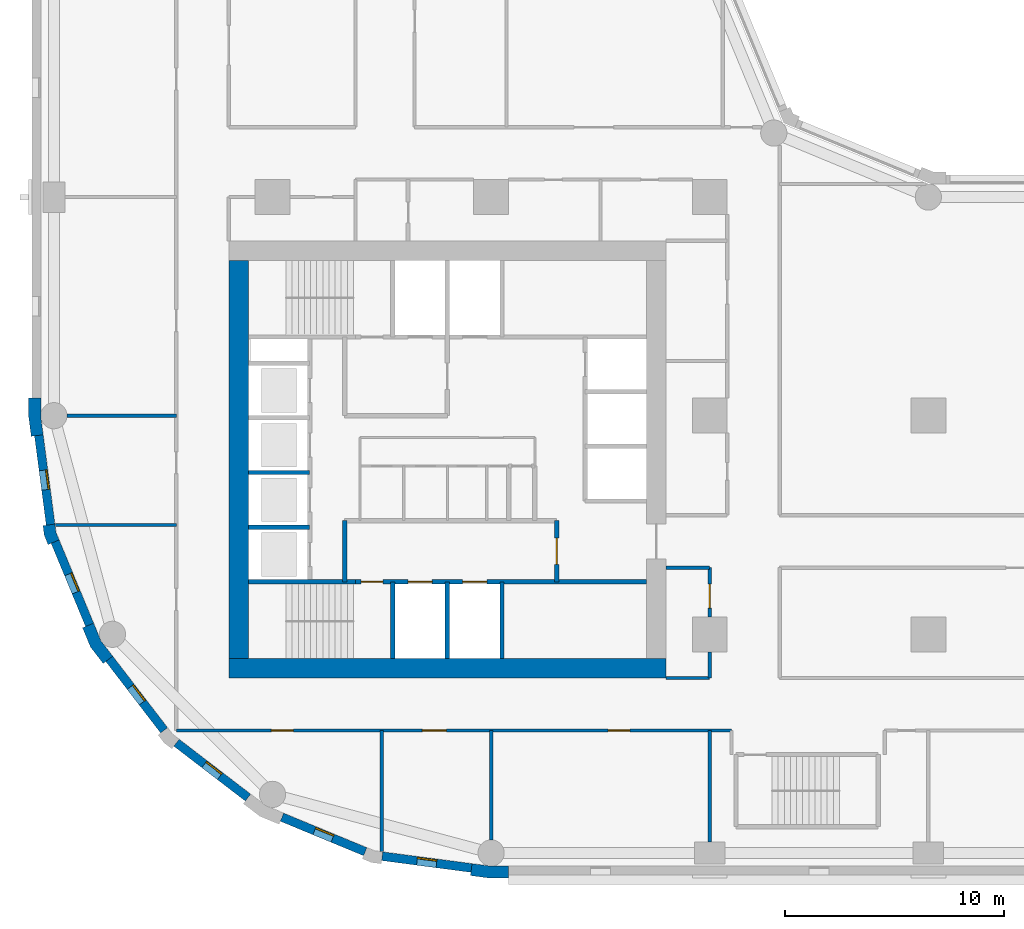
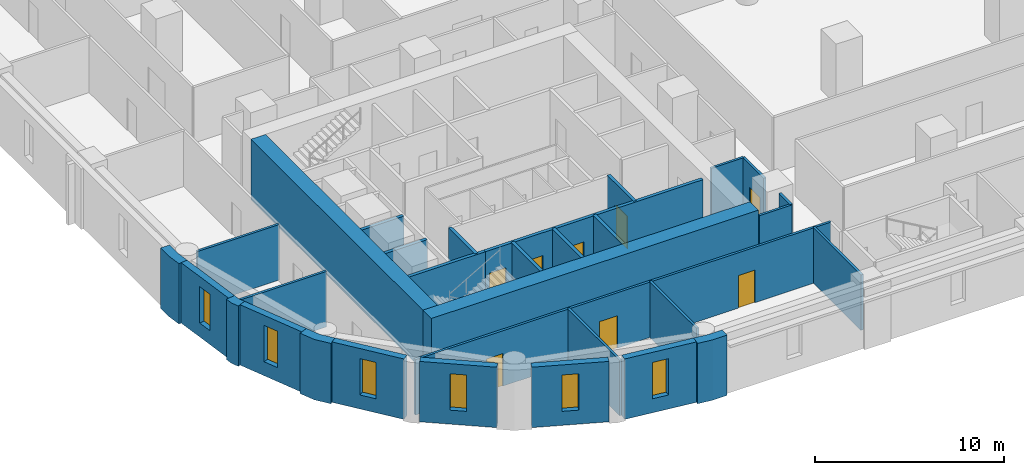
# One storey, part 2 of 10: 31 walls, 8 doors, 6 windows, 14 openings.
"""IFC4 building model written with IfcOpenShell, lengths in metres."""

from ifc_helpers import new_model, si_unit, direction, frame, frame_2d, origin, place, context, subcontext, project, spatial, polyline, rectangle, outline, extrude, material, layer, layer_set, type_object, element, fill, save


model = new_model("IFC4")

# Units and contexts
model_context = context("Model", 3, precision=1e-05, world=origin(), true_north=direction((0.0, 1.0)))
body_context = subcontext(model_context, "Body", "Model", "MODEL_VIEW")
ifc_project = project(units=[si_unit("LENGTHUNIT", "METRE"), si_unit("AREAUNIT", "SQUARE_METRE"), si_unit("VOLUMEUNIT", "CUBIC_METRE"), si_unit("PLANEANGLEUNIT", "RADIAN"), si_unit("MASSUNIT", "GRAM", prefix="KILO")], contexts=[model_context])

# Site, building, storey
site_placement = place(None, origin())
site = spatial("IfcSite", under=ifc_project, at=site_placement, CompositionType="ELEMENT")
building_placement = place(site_placement, origin())
building = spatial("IfcBuilding", under=site, at=building_placement, Name="Qaws Garden Tower", CompositionType="ELEMENT")
storey_placement = place(building_placement, frame((0.0, 0.0, 101.699951171875)))
storey = spatial("IfcBuildingStorey", under=building, at=storey_placement, Name="L25", CompositionType="ELEMENT", Elevation=101.699951171875)

# Wall, opening, window
ifc_material_1 = material(Name="Clay facing brick masonry", Category="masonry")
ifc_layer_1 = layer(ifc_material_1, 0.39990234375)
ifc_layer_set_1 = layer_set([ifc_layer_1], Name="Clay facing brick masonry")
wall_type_1 = type_object("IfcWallType", Name="Brick infill wall 400", PredefinedType="SOLIDWALL", material=ifc_layer_set_1)
wall_1_placement = place(storey_placement, frame((-0.688720703125, 19.102294921875, 0.0), z_axis=(0.0, 0.0, 1.0), x_axis=(0.130514280502, -0.991446429508, 0.0)))
wall_1 = element("IfcWall", 1, at=wall_1_placement, inside=storey, type_object=wall_type_1, Name="E-L25-infill-27", PredefinedType="SOLIDWALL", context=body_context, shape_type="SweptSolid", body=[
    extrude(rectangle(XDim=4.120849609375, YDim=0.39990234375, at=frame_2d((2.060546875, 0.0))), origin(), (0.0, 0.0, 1.0), 3.900146484375),
])
opening_1_placement = place(wall_1_placement, frame((1.610595703125, 0.0, 0.89990234375)))
opening_1 = element("IfcOpeningElement", 2, at=opening_1_placement, cuts=wall_1, Name="Opening W09", PredefinedType="OPENING", context=body_context, shape_type="SweptSolid", body=[
    extrude(rectangle(XDim=0.89990234375, YDim=2.35009765625, at=frame_2d((0.449951171875, 1.175048828125))), frame((0.0, 0.2099609375, 0.0), z_axis=(0.0, -1.0, 0.0), x_axis=(1.0, 0.0, 0.0)), (0.0, 0.0, 1.0), 0.419921875),
])
ifc_material_2 = material(Name="Aluminium framed window, clear glazing", Category="aluminium")
window_type = type_object("IfcWindowType", Name="Slit window 900 x 2350", PartitioningType="SINGLE_PANEL", PredefinedType="WINDOW", material=ifc_material_2)
window_1_placement = place(opening_1_placement, origin())
window_1 = element("IfcWindow", 3, at=window_1_placement, inside=storey, type_object=window_type, Name="E-L25-window-27-0", OverallHeight=2.35009765625, OverallWidth=0.89990234375, PartitioningType="SINGLE_PANEL", PredefinedType="WINDOW", context=body_context, shape_type="SweptSolid", body=[
    extrude(rectangle(XDim=0.89990234375, YDim=2.35009765625, at=frame_2d((0.449951171875, 1.175048828125))), frame((0.0, 0.159912109375, 0.0), z_axis=(0.0, -1.0, 0.0), x_axis=(1.0, 0.0, 0.0)), (0.0, 0.0, 1.0), 0.06005859375),
])
fill(opening_1, window_1)

wall_2_placement = place(storey_placement, frame((0.05712890625, 14.240234375, 0.0), z_axis=(0.0, 0.0, 1.0), x_axis=(0.382721546029, -0.923863744394, 0.0)))
wall_2 = element("IfcWall", 4, at=wall_2_placement, inside=storey, type_object=wall_type_1, Name="E-L25-infill-28", PredefinedType="SOLIDWALL", context=body_context, shape_type="SweptSolid", body=[
    extrude(rectangle(XDim=4.120849609375, YDim=0.39990234375, at=frame_2d((2.060546875, 0.0))), origin(), (0.0, 0.0, 1.0), 3.900146484375),
])
opening_2_placement = place(wall_2_placement, frame((1.610595703125, 0.0, 0.89990234375)))
opening_2 = element("IfcOpeningElement", 5, at=opening_2_placement, cuts=wall_2, Name="Opening W09", PredefinedType="OPENING", context=body_context, shape_type="SweptSolid", body=[
    extrude(rectangle(XDim=0.89990234375, YDim=2.35009765625, at=frame_2d((0.449951171875, 1.175048828125))), frame((0.0, 0.2099609375, 0.0), z_axis=(0.0, -1.0, 0.0), x_axis=(1.0, 0.0, 0.0)), (0.0, 0.0, 1.0), 0.419921875),
])
window_2_placement = place(opening_2_placement, origin())
window_2 = element("IfcWindow", 6, at=window_2_placement, inside=storey, type_object=window_type, Name="E-L25-window-28-0", OverallHeight=2.35009765625, OverallWidth=0.89990234375, PartitioningType="SINGLE_PANEL", PredefinedType="WINDOW", context=body_context, shape_type="SweptSolid", body=[
    extrude(rectangle(XDim=0.89990234375, YDim=2.35009765625, at=frame_2d((0.449951171875, 1.175048828125))), frame((0.0, 0.159912109375, 0.0), z_axis=(0.0, -1.0, 0.0), x_axis=(1.0, 0.0, 0.0)), (0.0, 0.0, 1.0), 0.06005859375),
])
fill(opening_2, window_2)

wall_3_placement = place(storey_placement, frame((2.53173828125, 8.87841796875, 0.0), z_axis=(0.0, 0.0, 1.0), x_axis=(0.608759824817, -0.793354571229, 0.0)))
wall_3 = element("IfcWall", 7, at=wall_3_placement, inside=storey, type_object=wall_type_1, Name="E-L25-infill-29", PredefinedType="SOLIDWALL", context=body_context, shape_type="SweptSolid", body=[
    extrude(rectangle(XDim=4.12109375, YDim=0.39990234375, at=frame_2d((2.060546875, 0.0))), origin(), (0.0, 0.0, 1.0), 3.900146484375),
])
opening_3_placement = place(wall_3_placement, frame((1.610595703125, 0.0, 0.89990234375)))
opening_3 = element("IfcOpeningElement", 8, at=opening_3_placement, cuts=wall_3, Name="Opening W09", PredefinedType="OPENING", context=body_context, shape_type="SweptSolid", body=[
    extrude(rectangle(XDim=0.89990234375, YDim=2.35009765625, at=frame_2d((0.449951171875, 1.175048828125))), frame((0.0, 0.2099609375, 0.0), z_axis=(0.0, -1.0, 0.0), x_axis=(1.0, 0.0, 0.0)), (0.0, 0.0, 1.0), 0.419921875),
])
window_3_placement = place(opening_3_placement, origin())
window_3 = element("IfcWindow", 9, at=window_3_placement, inside=storey, type_object=window_type, Name="E-L25-window-29-0", OverallHeight=2.35009765625, OverallWidth=0.89990234375, PartitioningType="SINGLE_PANEL", PredefinedType="WINDOW", context=body_context, shape_type="SweptSolid", body=[
    extrude(rectangle(XDim=0.89990234375, YDim=2.35009765625, at=frame_2d((0.449951171875, 1.175048828125))), frame((0.0, 0.159912109375, 0.0), z_axis=(0.0, -1.0, 0.0), x_axis=(1.0, 0.0, 0.0)), (0.0, 0.0, 1.0), 0.06005859375),
])
fill(opening_3, window_3)

wall_4_placement = place(storey_placement, frame((5.60888671875, 5.04052734375, 0.0), z_axis=(0.0, 0.0, 1.0), x_axis=(0.793354571229, -0.608759824817, 0.0)))
wall_4 = element("IfcWall", 10, at=wall_4_placement, inside=storey, type_object=wall_type_1, Name="E-L25-infill-30", PredefinedType="SOLIDWALL", context=body_context, shape_type="SweptSolid", body=[
    extrude(rectangle(XDim=4.12109375, YDim=0.39990234375, at=frame_2d((2.060546875, 0.0))), origin(), (0.0, 0.0, 1.0), 3.900146484375),
])
opening_4_placement = place(wall_4_placement, frame((1.610595703125, 0.0, 0.89990234375)))
opening_4 = element("IfcOpeningElement", 11, at=opening_4_placement, cuts=wall_4, Name="Opening W09", PredefinedType="OPENING", context=body_context, shape_type="SweptSolid", body=[
    extrude(rectangle(XDim=0.89990234375, YDim=2.35009765625, at=frame_2d((0.449951171875, 1.175048828125))), frame((0.0, 0.2099609375, 0.0), z_axis=(0.0, -1.0, 0.0), x_axis=(1.0, 0.0, 0.0)), (0.0, 0.0, 1.0), 0.419921875),
])
window_4_placement = place(opening_4_placement, origin())
window_4 = element("IfcWindow", 12, at=window_4_placement, inside=storey, type_object=window_type, Name="E-L25-window-30-0", OverallHeight=2.35009765625, OverallWidth=0.89990234375, PartitioningType="SINGLE_PANEL", PredefinedType="WINDOW", context=body_context, shape_type="SweptSolid", body=[
    extrude(rectangle(XDim=0.89990234375, YDim=2.35009765625, at=frame_2d((0.449951171875, 1.175048828125))), frame((0.0, 0.159912109375, 0.0), z_axis=(0.0, -1.0, 0.0), x_axis=(1.0, 0.0, 0.0)), (0.0, 0.0, 1.0), 0.06005859375),
])
fill(opening_4, window_4)

wall_5_placement = place(storey_placement, frame((10.43310546875, 1.63427734375, 0.0), z_axis=(0.0, 0.0, 1.0), x_axis=(0.923863744394, -0.382721546029, 0.0)))
wall_5 = element("IfcWall", 13, at=wall_5_placement, inside=storey, type_object=wall_type_1, Name="E-L25-infill-31", PredefinedType="SOLIDWALL", context=body_context, shape_type="SweptSolid", body=[
    extrude(rectangle(XDim=4.120849609375, YDim=0.39990234375, at=frame_2d((2.060546875, 0.0))), origin(), (0.0, 0.0, 1.0), 3.900146484375),
])
opening_5_placement = place(wall_5_placement, frame((1.610595703125, 0.0, 0.89990234375)))
opening_5 = element("IfcOpeningElement", 14, at=opening_5_placement, cuts=wall_5, Name="Opening W09", PredefinedType="OPENING", context=body_context, shape_type="SweptSolid", body=[
    extrude(rectangle(XDim=0.89990234375, YDim=2.35009765625, at=frame_2d((0.449951171875, 1.175048828125))), frame((0.0, 0.2099609375, 0.0), z_axis=(0.0, -1.0, 0.0), x_axis=(1.0, 0.0, 0.0)), (0.0, 0.0, 1.0), 0.419921875),
])
window_5_placement = place(opening_5_placement, origin())
window_5 = element("IfcWindow", 15, at=window_5_placement, inside=storey, type_object=window_type, Name="E-L25-window-31-0", OverallHeight=2.35009765625, OverallWidth=0.89990234375, PartitioningType="SINGLE_PANEL", PredefinedType="WINDOW", context=body_context, shape_type="SweptSolid", body=[
    extrude(rectangle(XDim=0.89990234375, YDim=2.35009765625, at=frame_2d((0.449951171875, 1.175048828125))), frame((0.0, 0.159912109375, 0.0), z_axis=(0.0, -1.0, 0.0), x_axis=(1.0, 0.0, 0.0)), (0.0, 0.0, 1.0), 0.06005859375),
])
fill(opening_5, window_5)

wall_6_placement = place(storey_placement, frame((15.0166015625, -0.15087890625, 0.0), z_axis=(0.0, 0.0, 1.0), x_axis=(0.991446429508, -0.130514280502, 0.0)))
wall_6 = element("IfcWall", 16, at=wall_6_placement, inside=storey, type_object=wall_type_1, Name="E-L25-infill-32", PredefinedType="SOLIDWALL", context=body_context, shape_type="SweptSolid", body=[
    extrude(rectangle(XDim=4.120849609375, YDim=0.39990234375, at=frame_2d((2.060546875, 0.0))), origin(), (0.0, 0.0, 1.0), 3.900146484375),
])
opening_6_placement = place(wall_6_placement, frame((1.610595703125, 0.0, 0.89990234375)))
opening_6 = element("IfcOpeningElement", 17, at=opening_6_placement, cuts=wall_6, Name="Opening W09", PredefinedType="OPENING", context=body_context, shape_type="SweptSolid", body=[
    extrude(rectangle(XDim=0.89990234375, YDim=2.35009765625, at=frame_2d((0.449951171875, 1.175048828125))), frame((0.0, 0.2099609375, 0.0), z_axis=(0.0, -1.0, 0.0), x_axis=(1.0, 0.0, 0.0)), (0.0, 0.0, 1.0), 0.419921875),
])
window_6_placement = place(opening_6_placement, origin())
window_6 = element("IfcWindow", 18, at=window_6_placement, inside=storey, type_object=window_type, Name="E-L25-window-32-0", OverallHeight=2.35009765625, OverallWidth=0.89990234375, PartitioningType="SINGLE_PANEL", PredefinedType="WINDOW", context=body_context, shape_type="SweptSolid", body=[
    extrude(rectangle(XDim=0.89990234375, YDim=2.35009765625, at=frame_2d((0.449951171875, 1.175048828125))), frame((0.0, 0.159912109375, 0.0), z_axis=(0.0, -1.0, 0.0), x_axis=(1.0, 0.0, 0.0)), (0.0, 0.0, 1.0), 0.06005859375),
])
fill(opening_6, window_6)

# Walls
ifc_material_3 = material(Name="Clay facing brick masonry", Category="masonry")
ifc_layer_2 = layer(ifc_material_3, 0.550048828125)
ifc_layer_set_2 = layer_set([ifc_layer_2], Name="Clay facing brick masonry")
wall_type_2 = type_object("IfcWallType", Name="Brick kink pier 550 x 600", PredefinedType="SOLIDWALL", material=ifc_layer_set_2)
placement = place(storey_placement, origin())
element("IfcWall", 19, at=placement, inside=storey, type_object=wall_type_2, Name="E-L25-pier-28", PredefinedType="SOLIDWALL", context=body_context, shape_type="SweptSolid", body=[
    extrude(outline(polyline([(-0.34912109375, 14.990478515625), (-0.497802734375, 14.970947265625), (-0.43896484375, 14.5234375), (-0.26611328125, 14.1064453125), (-0.127685546875, 14.163818359375), (0.241943359375, 14.31689453125), (0.096923828125, 14.6669921875), (0.04736328125, 15.042724609375), (-0.34912109375, 14.990478515625)])), origin(), (0.0, 0.0, 1.0), 3.900146484375),
])
ifc_material_4 = material(Name="Clay facing brick masonry", Category="masonry")
ifc_layer_3 = layer(ifc_material_4, 0.550048828125)
ifc_layer_set_3 = layer_set([ifc_layer_3], Name="Clay facing brick masonry")
wall_type_3 = type_object("IfcWallType", Name="Brick pier 550 x 1600", PredefinedType="SOLIDWALL", material=ifc_layer_set_3)
element("IfcWall", 20, at=placement, inside=storey, type_object=wall_type_3, Name="E-L25-pier-00", PredefinedType="SOLIDWALL", context=body_context, shape_type="SweptSolid", body=[
    extrude(outline(polyline([(19.076416015625, -0.886962890625), (19.056640625, -1.03564453125), (19.924560546875, -1.14990234375), (20.800048828125, -1.14990234375), (20.800048828125, -1.0), (20.800048828125, -0.60009765625), (19.960693359375, -0.60009765625), (19.12841796875, -0.490478515625), (19.076416015625, -0.886962890625)])), origin(), (0.0, 0.0, 1.0), 3.900146484375),
])
element("IfcWall", 21, at=placement, inside=storey, type_object=wall_type_3, Name="E-L25-pier-27", PredefinedType="SOLIDWALL", context=body_context, shape_type="SweptSolid", body=[
    extrude(outline(polyline([(-1.0, 20.800048828125), (-1.14990234375, 20.800048828125), (-1.14990234375, 19.924560546875), (-1.03564453125, 19.056640625), (-0.886962890625, 19.076416015625), (-0.490478515625, 19.12841796875), (-0.60009765625, 19.960693359375), (-0.60009765625, 20.800048828125), (-1.0, 20.800048828125)])), origin(), (0.0, 0.0, 1.0), 3.900146484375),
])
element("IfcWall", 22, at=placement, inside=storey, type_object=wall_type_3, Name="E-L25-pier-29", PredefinedType="SOLIDWALL", context=body_context, shape_type="SweptSolid", body=[
    extrude(outline(polyline([(1.449462890625, 10.3564453125), (1.310791015625, 10.299072265625), (1.675048828125, 9.419921875), (2.254150390625, 8.665283203125), (2.373046875, 8.756591796875), (2.6904296875, 9.0), (2.1552734375, 9.697509765625), (1.819091796875, 10.509521484375), (1.449462890625, 10.3564453125)])), origin(), (0.0, 0.0, 1.0), 3.900146484375),
])
ifc_material_5 = material(Name="Concrete C80", Category="concrete")
ifc_layer_4 = layer(ifc_material_5, 0.199951171875)
ifc_layer_set_4 = layer_set([ifc_layer_4], Name="Concrete C80")
wall_type_4 = type_object("IfcWallType", Name="Core shaft wall 200 C80", PredefinedType="SHEAR", material=ifc_layer_set_4)
wall_11_placement = place(storey_placement, frame((8.89990234375, 12.39990234375, 0.0), z_axis=(0.0, 0.0, 1.0), x_axis=(1.0, 0.0, 0.0)))
element("IfcWall", 23, at=wall_11_placement, inside=storey, type_object=wall_type_4, Name="Shaft wall", PredefinedType="SHEAR", context=body_context, shape_type="SweptSolid", body=[
    extrude(rectangle(XDim=4.900146484375, YDim=0.199951171875, at=frame_2d((2.4501953125, 0.0))), origin(), (0.0, 0.0, 1.0), 3.580078125),
])

# Wall, openings, doors
wall_12_placement = place(storey_placement, frame((13.800048828125, 12.39990234375, 0.0), z_axis=(0.0, 0.0, 1.0), x_axis=(1.0, 0.0, 0.0)))
wall_12 = element("IfcWall", 24, at=wall_12_placement, inside=storey, type_object=wall_type_4, Name="Shaft wall", PredefinedType="SHEAR", context=body_context, shape_type="SweptSolid", body=[
    extrude(rectangle(XDim=13.300048828125, YDim=0.199951171875, at=frame_2d((6.64990234375, 0.0))), origin(), (0.0, 0.0, 1.0), 3.580078125),
])
opening_7_placement = place(wall_12_placement, frame((2.39990234375, 0.0, 0.0)))
opening_7 = element("IfcOpeningElement", 25, at=opening_7_placement, cuts=wall_12, Name="Opening LD06", PredefinedType="OPENING", context=body_context, shape_type="SweptSolid", body=[
    extrude(rectangle(XDim=1.10009765625, YDim=2.10009765625, at=frame_2d((0.550048828125, 1.050048828125))), frame((0.0, 0.10986328125, 0.0), z_axis=(0.0, -1.0, 0.0), x_axis=(1.0, 0.0, 0.0)), (0.0, 0.0, 1.0), 0.219970703125),
])
opening_8_placement = place(wall_12_placement, frame((4.89990234375, 0.0, 0.0)))
opening_8 = element("IfcOpeningElement", 26, at=opening_8_placement, cuts=wall_12, Name="Opening LD07", PredefinedType="OPENING", context=body_context, shape_type="SweptSolid", body=[
    extrude(rectangle(XDim=1.10009765625, YDim=2.10009765625, at=frame_2d((0.550048828125, 1.050048828125))), frame((0.0, 0.10986328125, 0.0), z_axis=(0.0, -1.0, 0.0), x_axis=(1.0, 0.0, 0.0)), (0.0, 0.0, 1.0), 0.219970703125),
])
opening_9_placement = place(wall_12_placement, frame((0.25, 0.0, 0.0)))
opening_9 = element("IfcOpeningElement", 27, at=opening_9_placement, cuts=wall_12, Name="Opening SD10", PredefinedType="OPENING", context=body_context, shape_type="SweptSolid", body=[
    extrude(rectangle(XDim=1.0, YDim=2.10009765625, at=frame_2d((0.5, 1.050048828125))), frame((0.0, 0.10986328125, 0.0), z_axis=(0.0, -1.0, 0.0), x_axis=(1.0, 0.0, 0.0)), (0.0, 0.0, 1.0), 0.219970703125),
])
ifc_material_6 = material(Name="Steel S235", Category="steel")
door_type_1 = type_object("IfcDoorType", Name="Landing door 1100x2100", OperationType="DOUBLE_DOOR_SLIDING", PredefinedType="DOOR", material=ifc_material_6)
door_1_placement = place(opening_7_placement, origin())
door_1 = element("IfcDoor", 28, at=door_1_placement, inside=storey, type_object=door_type_1, Name="Lift FF1 landing door", OperationType="DOUBLE_DOOR_SLIDING", OverallHeight=2.10009765625, OverallWidth=1.10009765625, PredefinedType="DOOR", context=body_context, shape_type="SweptSolid", body=[
    extrude(rectangle(XDim=1.10009765625, YDim=2.10009765625, at=frame_2d((0.550048828125, 1.050048828125))), frame((0.0, 0.02490234375, 0.0), z_axis=(0.0, -1.0, 0.0), x_axis=(1.0, 0.0, 0.0)), (0.0, 0.0, 1.0), 0.050048828125),
])
fill(opening_7, door_1)
door_2_placement = place(opening_8_placement, origin())
door_2 = element("IfcDoor", 29, at=door_2_placement, inside=storey, type_object=door_type_1, Name="Lift FF2 landing door", OperationType="DOUBLE_DOOR_SLIDING", OverallHeight=2.10009765625, OverallWidth=1.10009765625, PredefinedType="DOOR", context=body_context, shape_type="SweptSolid", body=[
    extrude(rectangle(XDim=1.10009765625, YDim=2.10009765625, at=frame_2d((0.550048828125, 1.050048828125))), frame((0.0, 0.02490234375, 0.0), z_axis=(0.0, -1.0, 0.0), x_axis=(1.0, 0.0, 0.0)), (0.0, 0.0, 1.0), 0.050048828125),
])
fill(opening_8, door_2)
ifc_material_7 = material(Name="Steel S235", Category="steel")
door_type_2 = type_object("IfcDoorType", Name="Stair door 1000x2100", OperationType="SINGLE_SWING_RIGHT", PredefinedType="DOOR", material=ifc_material_7)
door_3_placement = place(opening_9_placement, frame((1.0, 0.0, 0.0), z_axis=(0.0, 0.0, 1.0), x_axis=(-1.0, 0.0, 0.0)))
door_3 = element("IfcDoor", 30, at=door_3_placement, inside=storey, type_object=door_type_2, Name="Stair 1 door", OperationType="SINGLE_SWING_LEFT", OverallHeight=2.10009765625, OverallWidth=1.0, PredefinedType="DOOR", context=body_context, shape_type="SweptSolid", body=[
    extrude(rectangle(XDim=1.0, YDim=2.10009765625, at=frame_2d((0.5, 1.050048828125))), frame((0.0, 0.02490234375, 0.0), z_axis=(0.0, -1.0, 0.0), x_axis=(1.0, 0.0, 0.0)), (0.0, 0.0, 1.0), 0.050048828125),
])
fill(opening_9, door_3)

# Walls
for number, where, z_axis, x_axis, name in (
    (31, (8.89990234375, 14.89990234375, 0.0), (0.0, 0.0, 1.0), (1.0, 0.0, 0.0), "Shaft wall"),
    (32, (8.89990234375, 17.39990234375, 0.0), (0.0, 0.0, 1.0), (1.0, 0.0, 0.0), "Shaft wall"),
    (33, (13.300048828125, 12.39990234375, 0.0), (0.0, 0.0, 1.0), (0.0, 1.0, 0.0), "Shaft wall"),
):
    element("IfcWall", number, at=place(storey_placement, frame(where, z_axis=z_axis, x_axis=x_axis)), inside=storey, type_object=wall_type_4, Name=name, PredefinedType="SHEAR", context=body_context, shape_type="SweptSolid", body=[
        extrude(rectangle(XDim=2.800048828125, YDim=0.199951171875, at=frame_2d((1.39990234375, 0.0))), origin(), (0.0, 0.0, 1.0), 3.580078125),
    ])
for number, where, z_axis, x_axis, name in (
    (34, (15.5, 8.89990234375, 0.0), (0.0, 0.0, 1.0), (0.0, 1.0, 0.0), "Shaft wall"),
    (35, (18.0, 8.89990234375, 0.0), (0.0, 0.0, 1.0), (0.0, 1.0, 0.0), "Shaft wall"),
    (36, (20.5, 8.89990234375, 0.0), (0.0, 0.0, 1.0), (0.0, 1.0, 0.0), "Shaft wall"),
):
    element("IfcWall", number, at=place(storey_placement, frame(where, z_axis=z_axis, x_axis=x_axis)), inside=storey, type_object=wall_type_4, Name=name, PredefinedType="SHEAR", context=body_context, shape_type="SweptSolid", body=[
        extrude(rectangle(XDim=3.5, YDim=0.199951171875, at=frame_2d((1.75, 0.0))), origin(), (0.0, 0.0, 1.0), 3.580078125),
    ])

# Wall, opening, door
wall_13_placement = place(storey_placement, frame((23.0, 12.39990234375, 0.0), z_axis=(0.0, 0.0, 1.0), x_axis=(0.0, 1.0, 0.0)))
wall_13 = element("IfcWall", 37, at=wall_13_placement, inside=storey, type_object=wall_type_4, Name="Shaft wall", PredefinedType="SHEAR", context=body_context, shape_type="SweptSolid", body=[
    extrude(rectangle(XDim=2.800048828125, YDim=0.199951171875, at=frame_2d((1.39990234375, 0.0))), origin(), (0.0, 0.0, 1.0), 3.580078125),
])
opening_10_placement = place(wall_13_placement, frame((0.800048828125, 0.0, 0.0)))
opening_10 = element("IfcOpeningElement", 38, at=opening_10_placement, cuts=wall_13, Name="Opening FD15", PredefinedType="OPENING", context=body_context, shape_type="SweptSolid", body=[
    extrude(rectangle(XDim=1.199951171875, YDim=2.10009765625, at=frame_2d((0.60009765625, 1.050048828125))), frame((0.0, 0.10986328125, 0.0), z_axis=(0.0, -1.0, 0.0), x_axis=(1.0, 0.0, 0.0)), (0.0, 0.0, 1.0), 0.219970703125),
])
ifc_material_8 = material(Name="Steel S235", Category="steel")
door_type_3 = type_object("IfcDoorType", Name="Lobby door 1200x2100", OperationType="DOUBLE_DOOR_SINGLE_SWING", PredefinedType="DOOR", material=ifc_material_8)
door_4_placement = place(opening_10_placement, origin())
door_4 = element("IfcDoor", 39, at=door_4_placement, inside=storey, type_object=door_type_3, Name="Fire-fighting lobby door", OperationType="DOUBLE_DOOR_SINGLE_SWING", OverallHeight=2.10009765625, OverallWidth=1.199951171875, PredefinedType="DOOR", context=body_context, shape_type="SweptSolid", body=[
    extrude(rectangle(XDim=1.199951171875, YDim=2.10009765625, at=frame_2d((0.60009765625, 1.050048828125))), frame((0.0, 0.02490234375, 0.0), z_axis=(0.0, -1.0, 0.0), x_axis=(1.0, 0.0, 0.0)), (0.0, 0.0, 1.0), 0.050048828125),
])
fill(opening_10, door_4)

# Walls
ifc_material_9 = material(Name="Concrete C80", Category="concrete")
ifc_layer_5 = layer(ifc_material_9, 0.89990234375)
ifc_layer_set_5 = layer_set([ifc_layer_5], Name="Concrete C80")
wall_type_5 = type_object("IfcWallType", Name="Core wall 900 C80", PredefinedType="SHEAR", material=ifc_layer_set_5)
wall_14_placement = place(storey_placement, frame((8.0, 8.449951171875, 0.0), z_axis=(0.0, 0.0, 1.0), x_axis=(1.0, 0.0, 0.0)))
element("IfcWall", 40, at=wall_14_placement, inside=storey, type_object=wall_type_5, Name="Core wall L25 south", PredefinedType="SHEAR", context=body_context, shape_type="SweptSolid", body=[
    extrude(rectangle(XDim=20.0, YDim=0.89990234375, at=frame_2d((10.0, 0.0))), origin(), (0.0, 0.0, 1.0), 3.900146484375),
])
wall_15_placement = place(storey_placement, frame((8.449951171875, 27.10009765625, 0.0), z_axis=(0.0, 0.0, 1.0), x_axis=(0.0, -1.0, 0.0)))
element("IfcWall", 41, at=wall_15_placement, inside=storey, type_object=wall_type_5, Name="Core wall L25 west", PredefinedType="SHEAR", context=body_context, shape_type="SweptSolid", body=[
    extrude(rectangle(XDim=18.2001953125, YDim=0.89990234375, at=frame_2d((9.10009765625, 0.0))), origin(), (0.0, 0.0, 1.0), 3.900146484375),
])
ifc_material_10 = material(Name="Gypsum board partition")
ifc_layer_6 = layer(ifc_material_10, 0.14990234375)
ifc_layer_set_6 = layer_set([ifc_layer_6], Name="Gypsum board partition")
wall_type_6 = type_object("IfcWallType", Name="PARTITION 150 EI 60", PredefinedType="PARTITIONING", material=ifc_layer_set_6)
wall_16_placement = place(storey_placement, frame((15.0, 0.06298828125, 0.0), z_axis=(0.0, 0.0, 1.0), x_axis=(0.0, 1.0, 0.0)))
element("IfcWall", 42, at=wall_16_placement, inside=storey, type_object=wall_type_6, Name="O-L25-wall-007", PredefinedType="PARTITIONING", context=body_context, shape_type="SweptSolid", body=[
    extrude(rectangle(XDim=5.537109375, YDim=0.14990234375, at=frame_2d((2.7685546875, 0.0))), origin(), (0.0, 0.0, 1.0), 3.580078125),
])
wall_17_placement = place(storey_placement, frame((20.0, 0.60009765625, 0.0), z_axis=(0.0, 0.0, 1.0), x_axis=(0.0, 1.0, 0.0)))
element("IfcWall", 43, at=wall_17_placement, inside=storey, type_object=wall_type_6, Name="O-L25-wall-010", PredefinedType="PARTITIONING", context=body_context, shape_type="SweptSolid", body=[
    extrude(rectangle(XDim=5.0, YDim=0.14990234375, at=frame_2d((2.5, 0.0))), origin(), (0.0, 0.0, 1.0), 3.580078125),
])
wall_18_placement = place(storey_placement, frame((30.0, 0.5, 0.0), z_axis=(0.0, 0.0, 1.0), x_axis=(0.0, 1.0, 0.0)))
element("IfcWall", 44, at=wall_18_placement, inside=storey, type_object=wall_type_6, Name="O-L25-wall-016", PredefinedType="PARTITIONING", context=body_context, shape_type="SweptSolid", body=[
    extrude(rectangle(XDim=5.10009765625, YDim=0.14990234375, at=frame_2d((2.550048828125, 0.0))), origin(), (0.0, 0.0, 1.0), 3.580078125),
])
wall_19_placement = place(storey_placement, frame((30.0, 8.0, 0.0), z_axis=(0.0, 0.0, 1.0), x_axis=(0.0, 1.0, 0.0)))
element("IfcWall", 45, at=wall_19_placement, inside=storey, type_object=wall_type_6, Name="O-L25-wall-017", PredefinedType="PARTITIONING", context=body_context, shape_type="SweptSolid", body=[
    extrude(rectangle(XDim=1.199951171875, YDim=0.14990234375, at=frame_2d((0.60009765625, 0.0))), origin(), (0.0, 0.0, 1.0), 3.580078125),
])

# Wall, opening, door
wall_20_placement = place(storey_placement, frame((30.0, 10.800048828125, 0.0), z_axis=(0.0, 0.0, 1.0), x_axis=(0.0, 1.0, 0.0)))
wall_20 = element("IfcWall", 46, at=wall_20_placement, inside=storey, type_object=wall_type_6, Name="O-L25-wall-018", PredefinedType="PARTITIONING", context=body_context, shape_type="SweptSolid", body=[
    extrude(rectangle(XDim=2.25, YDim=0.14990234375, at=frame_2d((1.125, 0.0))), origin(), (0.0, 0.0, 1.0), 3.580078125),
])
opening_11_placement = place(wall_20_placement, frame((0.39990234375, 0.0, 0.0)))
opening_11 = element("IfcOpeningElement", 47, at=opening_11_placement, cuts=wall_20, Name="Opening A807", PredefinedType="OPENING", context=body_context, shape_type="SweptSolid", body=[
    extrude(rectangle(XDim=1.10009765625, YDim=2.10009765625, at=frame_2d((0.550048828125, 1.050048828125))), frame((0.0, 0.0849609375, 0.0), z_axis=(0.0, -1.0, 0.0), x_axis=(1.0, 0.0, 0.0)), (0.0, 0.0, 1.0), 0.169921875),
])
ifc_material_11 = material(Name="Timber door leaf", Category="wood")
door_type_4 = type_object("IfcDoorType", Name="SERVICE ROOM DOOR 1100 X 2100", OperationType="SINGLE_SWING_LEFT", PredefinedType="DOOR", material=ifc_material_11)
door_5_placement = place(opening_11_placement, origin())
door_5 = element("IfcDoor", 48, at=door_5_placement, inside=storey, type_object=door_type_4, Name="O-L25-door-007", OperationType="SINGLE_SWING_LEFT", OverallHeight=2.10009765625, OverallWidth=1.10009765625, PredefinedType="DOOR", context=body_context, shape_type="SweptSolid", body=[
    extrude(rectangle(XDim=1.10009765625, YDim=2.10009765625, at=frame_2d((0.550048828125, 1.050048828125))), frame((0.0, 0.02490234375, 0.0), z_axis=(0.0, -1.0, 0.0), x_axis=(1.0, 0.0, 0.0)), (0.0, 0.0, 1.0), 0.050048828125),
])
fill(opening_11, door_5)

# Wall, openings, doors
wall_21_placement = place(storey_placement, frame((5.60009765625, 5.60009765625, 0.0), z_axis=(0.0, 0.0, 1.0), x_axis=(1.0, 0.0, 0.0)))
wall_21 = element("IfcWall", 49, at=wall_21_placement, inside=storey, type_object=wall_type_6, Name="O-L25-wall-031", PredefinedType="PARTITIONING", context=body_context, shape_type="SweptSolid", body=[
    extrude(rectangle(XDim=25.39990234375, YDim=0.14990234375, at=frame_2d((12.699951171875, 0.0))), origin(), (0.0, 0.0, 1.0), 3.580078125),
])
opening_12_placement = place(wall_21_placement, frame((4.35009765625, 0.0, 0.0)))
opening_12 = element("IfcOpeningElement", 50, at=opening_12_placement, cuts=wall_21, Name="Opening A826", PredefinedType="OPENING", context=body_context, shape_type="SweptSolid", body=[
    extrude(rectangle(XDim=1.0, YDim=2.10009765625, at=frame_2d((0.5, 1.050048828125))), frame((0.0, 0.0849609375, 0.0), z_axis=(0.0, -1.0, 0.0), x_axis=(1.0, 0.0, 0.0)), (0.0, 0.0, 1.0), 0.169921875),
])
opening_13_placement = place(wall_21_placement, frame((11.25, 0.0, 0.0)))
opening_13 = element("IfcOpeningElement", 51, at=opening_13_placement, cuts=wall_21, Name="Opening A827", PredefinedType="OPENING", context=body_context, shape_type="SweptSolid", body=[
    extrude(rectangle(XDim=1.10009765625, YDim=2.10009765625, at=frame_2d((0.550048828125, 1.050048828125))), frame((0.0, 0.0849609375, 0.0), z_axis=(0.0, -1.0, 0.0), x_axis=(1.0, 0.0, 0.0)), (0.0, 0.0, 1.0), 0.169921875),
])
opening_14_placement = place(wall_21_placement, frame((19.75, 0.0, 0.0)))
opening_14 = element("IfcOpeningElement", 52, at=opening_14_placement, cuts=wall_21, Name="Opening A828", PredefinedType="OPENING", context=body_context, shape_type="SweptSolid", body=[
    extrude(rectangle(XDim=1.0, YDim=2.10009765625, at=frame_2d((0.5, 1.050048828125))), frame((0.0, 0.0849609375, 0.0), z_axis=(0.0, -1.0, 0.0), x_axis=(1.0, 0.0, 0.0)), (0.0, 0.0, 1.0), 0.169921875),
])
door_6_placement = place(opening_13_placement, frame((1.10009765625, 0.0, 0.0), z_axis=(0.0, 0.0, 1.0), x_axis=(-1.0, 0.0, 0.0)))
door_6 = element("IfcDoor", 53, at=door_6_placement, inside=storey, type_object=door_type_4, Name="O-L25-door-027", OperationType="SINGLE_SWING_LEFT", OverallHeight=2.10009765625, OverallWidth=1.10009765625, PredefinedType="DOOR", context=body_context, shape_type="SweptSolid", body=[
    extrude(rectangle(XDim=1.10009765625, YDim=2.10009765625, at=frame_2d((0.550048828125, 1.050048828125))), frame((0.0, 0.02490234375, 0.0), z_axis=(0.0, -1.0, 0.0), x_axis=(1.0, 0.0, 0.0)), (0.0, 0.0, 1.0), 0.050048828125),
])
fill(opening_13, door_6)
ifc_material_12 = material(Name="Timber door leaf", Category="wood")
door_type_5 = type_object("IfcDoorType", Name="TENANCY ENTRANCE DOOR 1000 X 2100", OperationType="SINGLE_SWING_LEFT", PredefinedType="DOOR", material=ifc_material_12)
door_7_placement = place(opening_12_placement, frame((1.0, 0.0, 0.0), z_axis=(0.0, 0.0, 1.0), x_axis=(-1.0, 0.0, 0.0)))
door_7 = element("IfcDoor", 54, at=door_7_placement, inside=storey, type_object=door_type_5, Name="O-L25-door-026", OperationType="SINGLE_SWING_LEFT", OverallHeight=2.10009765625, OverallWidth=1.0, PredefinedType="DOOR", context=body_context, shape_type="SweptSolid", body=[
    extrude(rectangle(XDim=1.0, YDim=2.10009765625, at=frame_2d((0.5, 1.050048828125))), frame((0.0, 0.02490234375, 0.0), z_axis=(0.0, -1.0, 0.0), x_axis=(1.0, 0.0, 0.0)), (0.0, 0.0, 1.0), 0.050048828125),
])
fill(opening_12, door_7)
door_8_placement = place(opening_14_placement, frame((1.0, 0.0, 0.0), z_axis=(0.0, 0.0, 1.0), x_axis=(-1.0, 0.0, 0.0)))
door_8 = element("IfcDoor", 55, at=door_8_placement, inside=storey, type_object=door_type_5, Name="O-L25-door-028", OperationType="SINGLE_SWING_LEFT", OverallHeight=2.10009765625, OverallWidth=1.0, PredefinedType="DOOR", context=body_context, shape_type="SweptSolid", body=[
    extrude(rectangle(XDim=1.0, YDim=2.10009765625, at=frame_2d((0.5, 1.050048828125))), frame((0.0, 0.02490234375, 0.0), z_axis=(0.0, -1.0, 0.0), x_axis=(1.0, 0.0, 0.0)), (0.0, 0.0, 1.0), 0.050048828125),
])
fill(opening_14, door_8)

# Walls
for number, where, z_axis, x_axis, name in (
    (56, (28.0, 8.0, 0.0), (0.0, 0.0, 1.0), (1.0, 0.0, 0.0), "O-L25-wall-033"),
    (57, (28.0, 13.050048828125, 0.0), (0.0, 0.0, 1.0), (1.0, 0.0, 0.0), "O-L25-wall-035"),
):
    element("IfcWall", number, at=place(storey_placement, frame(where, z_axis=z_axis, x_axis=x_axis)), inside=storey, type_object=wall_type_6, Name=name, PredefinedType="PARTITIONING", context=body_context, shape_type="SweptSolid", body=[
        extrude(rectangle(XDim=2.0, YDim=0.14990234375, at=frame_2d((1.0, 0.0))), origin(), (0.0, 0.0, 1.0), 3.580078125),
    ])
wall_22_placement = place(storey_placement, frame((0.06298828125, 15.0, 0.0), z_axis=(0.0, 0.0, 1.0), x_axis=(1.0, 0.0, 0.0)))
element("IfcWall", 58, at=wall_22_placement, inside=storey, type_object=wall_type_6, Name="O-L25-wall-037", PredefinedType="PARTITIONING", context=body_context, shape_type="SweptSolid", body=[
    extrude(rectangle(XDim=5.537109375, YDim=0.14990234375, at=frame_2d((2.7685546875, 0.0))), origin(), (0.0, 0.0, 1.0), 3.580078125),
])
wall_23_placement = place(storey_placement, frame((0.60009765625, 20.0, 0.0), z_axis=(0.0, 0.0, 1.0), x_axis=(1.0, 0.0, 0.0)))
element("IfcWall", 59, at=wall_23_placement, inside=storey, type_object=wall_type_6, Name="O-L25-wall-040", PredefinedType="PARTITIONING", context=body_context, shape_type="SweptSolid", body=[
    extrude(rectangle(XDim=5.0, YDim=0.14990234375, at=frame_2d((2.5, 0.0))), origin(), (0.0, 0.0, 1.0), 3.580078125),
])

save(model, "model.ifc")
